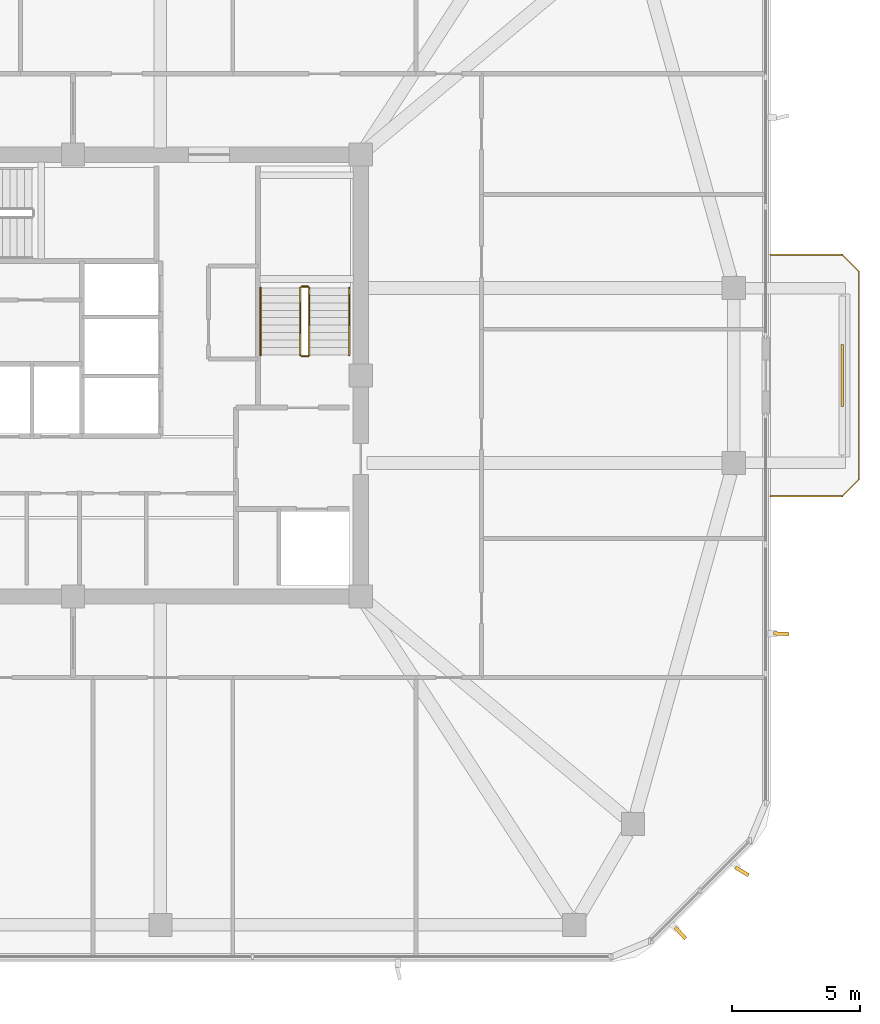
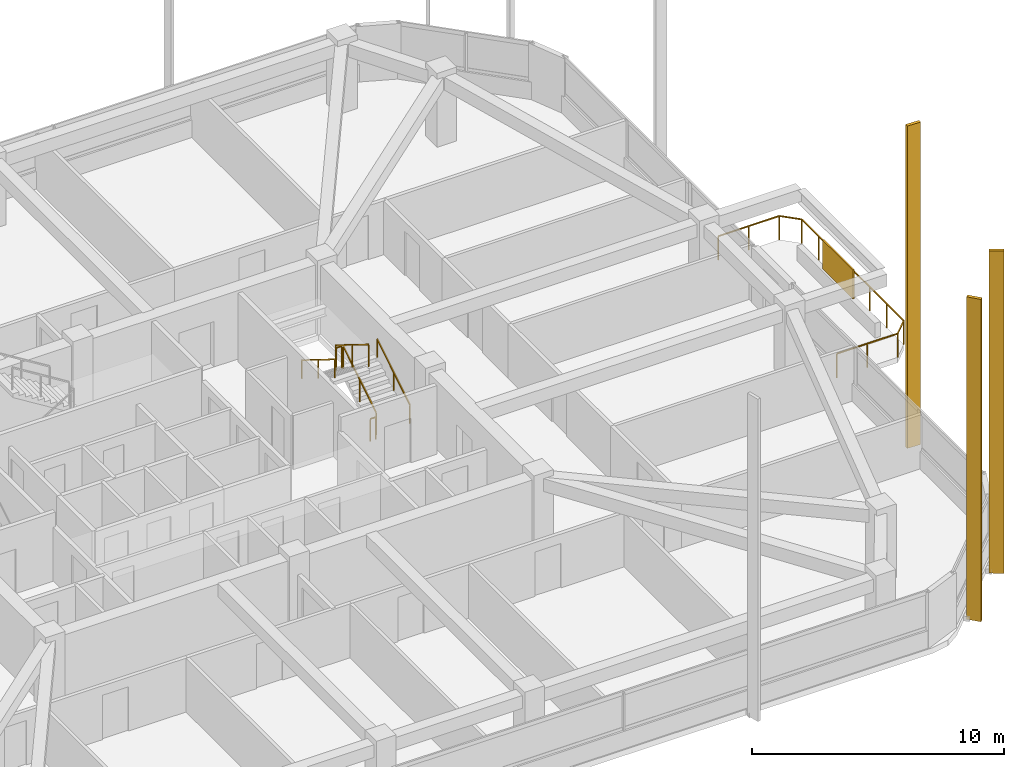
# One storey, part 16 of 17: 7 railings, 4 shading devices.
"""IFC4 building model written with IfcOpenShell, lengths in metres."""

from ifc_helpers import new_model, si_unit, derived_unit, direction, frame, origin, origin_2d, place, context, subcontext, project, spatial, rectangle, extrude, material, layer, layer_set, type_object, element, save


model = new_model("IFC4")

# Units and contexts
model_context = context("Model", 3, precision=1e-05, world=origin(), true_north=direction((0.0, 1.0)))
body_context = subcontext(model_context, "Body", "Model", "MODEL_VIEW")
ifc_project = project(units=[si_unit("LENGTHUNIT", "METRE"), si_unit("AREAUNIT", "SQUARE_METRE"), si_unit("VOLUMEUNIT", "CUBIC_METRE"), si_unit("PLANEANGLEUNIT", "RADIAN"), si_unit("MASSUNIT", "GRAM", prefix="KILO"), derived_unit("THERMALTRANSMITTANCEUNIT", [(si_unit("POWERUNIT", "WATT"), 1), (si_unit("LENGTHUNIT", "METRE"), -2), (si_unit("THERMODYNAMICTEMPERATUREUNIT", "KELVIN"), -1)])], contexts=[model_context])

# Site, building, storey
site_placement = place(None, origin())
site = spatial("IfcSite", under=ifc_project, at=site_placement, CompositionType="ELEMENT")
building_placement = place(site_placement, origin())
building = spatial("IfcBuilding", under=site, at=building_placement, Name="Koralith Skygarden Medical Center", CompositionType="ELEMENT")
storey_placement = place(building_placement, frame((0.0, 0.0, 221.580078125)))
storey = spatial("IfcBuildingStorey", under=building, at=storey_placement, Name="L57", CompositionType="ELEMENT", Elevation=221.580078125)

# Shading devices
ifc_material_1 = material(Name="Aluminium 6063-T6", Category="aluminium")
shading_device_type_1 = type_object("IfcShadingDeviceType", Name="Limestone-Clad Solar Storm Fin 600", PredefinedType="USERDEFINED", material=ifc_material_1)
for number, where, z_axis, x_axis, name in (
    (1, (60.639892578125, 4.2041015625, -0.199951171875), (0.0, 0.0, 1.0), (0.672289288287, -0.740288533515, 0.0), "L57 SE Harmonic Solar Storm Fin 1"),
    (2, (63.0380859375, 6.60205078125, -0.199951171875), (0.0, 0.0, 1.0), (0.854676370822, -0.519161151435, 0.0), "L57 SE Harmonic Solar Storm Fin 2"),
    (3, (64.56201171875, 15.85009765625, -0.199951171875), (0.0, 0.0, 1.0), (0.99884335675, -0.048082727417, 0.0), "L57 E Harmonic Solar Storm Fin 1"),
):
    element("IfcShadingDevice", number, at=place(storey_placement, frame(where, z_axis=z_axis, x_axis=x_axis)), inside=storey, type_object=shading_device_type_1, Name=name, ObjectType="SOLAR FIN", PredefinedType="USERDEFINED", context=body_context, shape_type="SweptSolid", body=[
        extrude(rectangle(XDim=0.60009765625, YDim=0.139892578125, at=origin_2d()), origin(), (0.0, 0.0, 1.0), 15.6298828125),
    ])

# Railing
ifc_material_2 = material(Name="Steel ASTM A500 Grade C", Category="steel")
railing_type_1 = type_object("IfcRailingType", Name="Outdoor Terrace & Balcony Safety Guardrail 1180", PredefinedType="GUARDRAIL", material=ifc_material_2)
railing_1_placement = place(storey_placement, frame((64.14208984375, 21.199951171875, 0.0)))
element("IfcRailing", 4, at=railing_1_placement, inside=storey, type_object=railing_type_1, Name="L57 E Balcony Perimeter Guardrail", PredefinedType="GUARDRAIL", context=body_context, shape_type="SweptSolid", body=[
    extrude(rectangle(XDim=0.050048828125, YDim=0.050048828125, at=origin_2d()), frame((0.001953125, 0.0, 1.15478515625), z_axis=(1.0, 0.0, 0.0), x_axis=(0.0, 1.0, 0.0)), (0.0, 0.0, 1.0), 2.7958984375),
    extrude(rectangle(XDim=0.050048828125, YDim=0.050048828125, at=origin_2d()), frame((2.80126953125, 0.00146484375, 1.15478515625), z_axis=(0.707106781187, 0.707106781187, 0.0), x_axis=(-0.707106781187, 0.707106781187, 0.0)), (0.0, 0.0, 1.0), 0.91552734375),
    extrude(rectangle(XDim=0.050048828125, YDim=0.050048828125, at=origin_2d()), frame((3.449951171875, 0.652099609375, 1.15478515625), z_axis=(0.0, 1.0, 0.0), x_axis=(-1.0, 0.0, 0.0)), (0.0, 0.0, 1.0), 8.095947265625),
    extrude(rectangle(XDim=0.050048828125, YDim=0.050048828125, at=origin_2d()), frame((3.448486328125, 8.75146484375, 1.15478515625), z_axis=(-0.707106781187, 0.707106781187, 0.0), x_axis=(-0.707106781187, -0.707106781187, 0.0)), (0.0, 0.0, 1.0), 0.91552734375),
    extrude(rectangle(XDim=0.050048828125, YDim=0.050048828125, at=origin_2d()), frame((2.7978515625, 9.400146484375, 1.15478515625), z_axis=(-1.0, 0.0, 0.0), x_axis=(0.0, -1.0, 0.0)), (0.0, 0.0, 1.0), 2.7958984375),
    extrude(rectangle(XDim=0.0419921875, YDim=0.0419921875, at=origin_2d()), origin(), (0.0, 0.0, 1.0), 1.1279296875),
    extrude(rectangle(XDim=0.0419921875, YDim=0.0419921875, at=origin_2d()), frame((1.39990234375, 0.0, 0.0)), (0.0, 0.0, 1.0), 1.1279296875),
    extrude(rectangle(XDim=0.0419921875, YDim=0.0419921875, at=origin_2d()), frame((2.7998046875, 0.0, 0.0)), (0.0, 0.0, 1.0), 1.1279296875),
    extrude(rectangle(XDim=0.0419921875, YDim=0.0419921875, at=origin_2d()), frame((3.449951171875, 0.650146484375, 0.0)), (0.0, 0.0, 1.0), 1.1279296875),
    extrude(rectangle(XDim=0.0419921875, YDim=0.0419921875, at=origin_2d()), frame((3.449951171875, 2.0, 0.0)), (0.0, 0.0, 1.0), 1.1279296875),
    extrude(rectangle(XDim=0.0419921875, YDim=0.0419921875, at=origin_2d()), frame((3.449951171875, 3.35009765625, 0.0)), (0.0, 0.0, 1.0), 1.1279296875),
    extrude(rectangle(XDim=0.0419921875, YDim=0.0419921875, at=origin_2d()), frame((3.449951171875, 4.7001953125, 0.0)), (0.0, 0.0, 1.0), 1.1279296875),
    extrude(rectangle(XDim=0.0419921875, YDim=0.0419921875, at=origin_2d()), frame((3.449951171875, 6.050048828125, 0.0)), (0.0, 0.0, 1.0), 1.1279296875),
    extrude(rectangle(XDim=0.0419921875, YDim=0.0419921875, at=origin_2d()), frame((3.449951171875, 7.39990234375, 0.0)), (0.0, 0.0, 1.0), 1.1279296875),
    extrude(rectangle(XDim=0.0419921875, YDim=0.0419921875, at=origin_2d()), frame((3.449951171875, 8.75, 0.0)), (0.0, 0.0, 1.0), 1.1279296875),
    extrude(rectangle(XDim=0.0419921875, YDim=0.0419921875, at=origin_2d()), frame((2.7998046875, 9.400146484375, 0.0)), (0.0, 0.0, 1.0), 1.1279296875),
    extrude(rectangle(XDim=0.0419921875, YDim=0.0419921875, at=origin_2d()), frame((1.39990234375, 9.400146484375, 0.0)), (0.0, 0.0, 1.0), 1.1279296875),
    extrude(rectangle(XDim=0.0419921875, YDim=0.0419921875, at=origin_2d()), frame((0.0, 9.400146484375, 0.0)), (0.0, 0.0, 1.0), 1.1279296875),
])

# Shading device
ifc_layer = layer(ifc_material_1, 0.080078125)
ifc_layer_set = layer_set([ifc_layer], Name="Aluminium 6063-T6")
shading_device_type_2 = type_object("IfcShadingDeviceType", Name="Perforated Biophilic Balcony Trellis Screen", PredefinedType="USERDEFINED", material=ifc_layer_set)
shading_device_placement = place(storey_placement, frame((66.94189453125, 25.89990234375, 0.719970703125), z_axis=(0.0, 0.0, 1.0), x_axis=(0.0, 1.0, 0.0)))
element("IfcShadingDevice", 5, at=shading_device_placement, inside=storey, type_object=shading_device_type_2, Name="L57 E Biophilic Balcony Trellis Screen", ObjectType="HURRICANE SCREEN", PredefinedType="USERDEFINED", context=body_context, shape_type="SweptSolid", body=[
    extrude(rectangle(XDim=2.39990234375, YDim=0.080078125, at=origin_2d()), origin(), (0.0, 0.0, 1.0), 1.39990234375),
])

# Railings
railing_type_2 = type_object("IfcRailingType", Name="Stair Flight Tubular Handrail 920", PredefinedType="HANDRAIL", material=ifc_material_2)
railing_2_placement = place(storey_placement, frame((47.75, 26.699951171875, 0.179931640625)))
element("IfcRailing", 6, at=railing_2_placement, inside=storey, type_object=railing_type_2, Name="L57 ST2 stair handrail 1", PredefinedType="HANDRAIL", context=body_context, shape_type="SweptSolid", body=[
    extrude(rectangle(XDim=0.050048828125, YDim=0.050048828125, at=origin_2d()), frame((0.0, 0.001708984375, 0.89599609375), z_axis=(0.0, 0.849668407637, 0.527317358963), x_axis=(-1.0, 0.0, 0.0)), (0.0, 0.0, 1.0), 3.06787109375),
    extrude(rectangle(XDim=0.0419921875, YDim=0.0419921875, at=origin_2d()), origin(), (0.0, 0.0, 1.0), 0.867919921875),
    extrude(rectangle(XDim=0.0419921875, YDim=0.0419921875, at=origin_2d()), frame((0.0, 1.30517578125, 0.81005859375)), (0.0, 0.0, 1.0), 0.867919921875),
    extrude(rectangle(XDim=0.0419921875, YDim=0.0419921875, at=origin_2d()), frame((0.0, 2.610107421875, 1.619873046875)), (0.0, 0.0, 1.0), 0.867919921875),
])
railing_3_placement = place(storey_placement, frame((44.300048828125, 29.31005859375, 1.97998046875)))
element("IfcRailing", 7, at=railing_3_placement, inside=storey, type_object=railing_type_2, Name="L57 ST2 stair handrail 2", PredefinedType="HANDRAIL", context=body_context, shape_type="SweptSolid", body=[
    extrude(rectangle(XDim=0.050048828125, YDim=0.050048828125, at=origin_2d()), frame((0.0, -0.001708984375, 0.89599609375), z_axis=(0.0, -0.849668407637, 0.527317358963), x_axis=(1.0, 0.0, 0.0)), (0.0, 0.0, 1.0), 3.06787109375),
    extrude(rectangle(XDim=0.0419921875, YDim=0.0419921875, at=origin_2d()), origin(), (0.0, 0.0, 1.0), 0.867919921875),
    extrude(rectangle(XDim=0.0419921875, YDim=0.0419921875, at=origin_2d()), frame((0.0, -1.30517578125, 0.81005859375)), (0.0, 0.0, 1.0), 0.867919921875),
    extrude(rectangle(XDim=0.0419921875, YDim=0.0419921875, at=origin_2d()), frame((0.0, -2.610107421875, 1.619873046875)), (0.0, 0.0, 1.0), 0.867919921875),
])
railing_type_3 = type_object("IfcRailingType", Name="Stair Well Safety Guardrail 1100", PredefinedType="GUARDRAIL", material=ifc_material_2)
railing_4_placement = place(storey_placement, frame((46.199951171875, 26.699951171875, 0.179931640625)))
element("IfcRailing", 8, at=railing_4_placement, inside=storey, type_object=railing_type_3, Name="L57 ST2 stair guard 1", PredefinedType="GUARDRAIL", context=body_context, shape_type="SweptSolid", body=[
    extrude(rectangle(XDim=0.050048828125, YDim=0.050048828125, at=origin_2d()), frame((0.0, 0.001708984375, 1.076171875), z_axis=(0.0, 0.849668407637, 0.527317358963), x_axis=(-1.0, 0.0, 0.0)), (0.0, 0.0, 1.0), 3.06787109375),
    extrude(rectangle(XDim=0.0419921875, YDim=0.0419921875, at=origin_2d()), origin(), (0.0, 0.0, 1.0), 1.048095703125),
    extrude(rectangle(XDim=0.0419921875, YDim=0.0419921875, at=origin_2d()), frame((0.0, 1.30517578125, 0.81005859375)), (0.0, 0.0, 1.0), 1.048095703125),
    extrude(rectangle(XDim=0.0419921875, YDim=0.0419921875, at=origin_2d()), frame((0.0, 2.610107421875, 1.619873046875)), (0.0, 0.0, 1.0), 1.048095703125),
])
railing_5_placement = place(storey_placement, frame((46.14990234375, 29.360107421875, 1.7998046875)))
element("IfcRailing", 9, at=railing_5_placement, inside=storey, type_object=railing_type_3, Name="L57 ST2 stair guard 2", PredefinedType="GUARDRAIL", context=body_context, shape_type="SweptSolid", body=[
    extrude(rectangle(XDim=0.050048828125, YDim=0.050048828125, at=origin_2d()), frame((-0.001953125, 0.0, 1.0751953125), z_axis=(-1.0, 0.0, 0.0), x_axis=(0.0, -1.0, 0.0)), (0.0, 0.0, 1.0), 0.24609375),
    extrude(rectangle(XDim=0.0419921875, YDim=0.0419921875, at=origin_2d()), origin(), (0.0, 0.0, 1.0), 1.048095703125),
    extrude(rectangle(XDim=0.0419921875, YDim=0.0419921875, at=origin_2d()), frame((-0.25, 0.0, 0.0)), (0.0, 0.0, 1.0), 1.048095703125),
])
railing_6_placement = place(storey_placement, frame((45.85009765625, 29.31005859375, 1.97998046875)))
element("IfcRailing", 10, at=railing_6_placement, inside=storey, type_object=railing_type_3, Name="L57 ST2 stair guard 3", PredefinedType="GUARDRAIL", context=body_context, shape_type="SweptSolid", body=[
    extrude(rectangle(XDim=0.050048828125, YDim=0.050048828125, at=origin_2d()), frame((0.0, -0.001708984375, 1.076171875), z_axis=(0.0, -0.849668407637, 0.527317358963), x_axis=(1.0, 0.0, 0.0)), (0.0, 0.0, 1.0), 3.06787109375),
    extrude(rectangle(XDim=0.0419921875, YDim=0.0419921875, at=origin_2d()), origin(), (0.0, 0.0, 1.0), 1.048095703125),
    extrude(rectangle(XDim=0.0419921875, YDim=0.0419921875, at=origin_2d()), frame((0.0, -1.30517578125, 0.81005859375)), (0.0, 0.0, 1.0), 1.048095703125),
    extrude(rectangle(XDim=0.0419921875, YDim=0.0419921875, at=origin_2d()), frame((0.0, -2.610107421875, 1.619873046875)), (0.0, 0.0, 1.0), 1.048095703125),
])
railing_7_placement = place(storey_placement, frame((46.14990234375, 26.64990234375, 0.0)))
element("IfcRailing", 11, at=railing_7_placement, inside=storey, type_object=railing_type_3, Name="L57 ST2 stair guard 4", PredefinedType="GUARDRAIL", context=body_context, shape_type="SweptSolid", body=[
    extrude(rectangle(XDim=0.050048828125, YDim=0.050048828125, at=origin_2d()), frame((-0.001953125, 0.0, 1.0751953125), z_axis=(-1.0, 0.0, 0.0), x_axis=(0.0, -1.0, 0.0)), (0.0, 0.0, 1.0), 0.24609375),
    extrude(rectangle(XDim=0.0419921875, YDim=0.0419921875, at=origin_2d()), origin(), (0.0, 0.0, 1.0), 1.048095703125),
    extrude(rectangle(XDim=0.0419921875, YDim=0.0419921875, at=origin_2d()), frame((-0.25, 0.0, 0.0)), (0.0, 0.0, 1.0), 1.048095703125),
])

save(model, "model.ifc")
